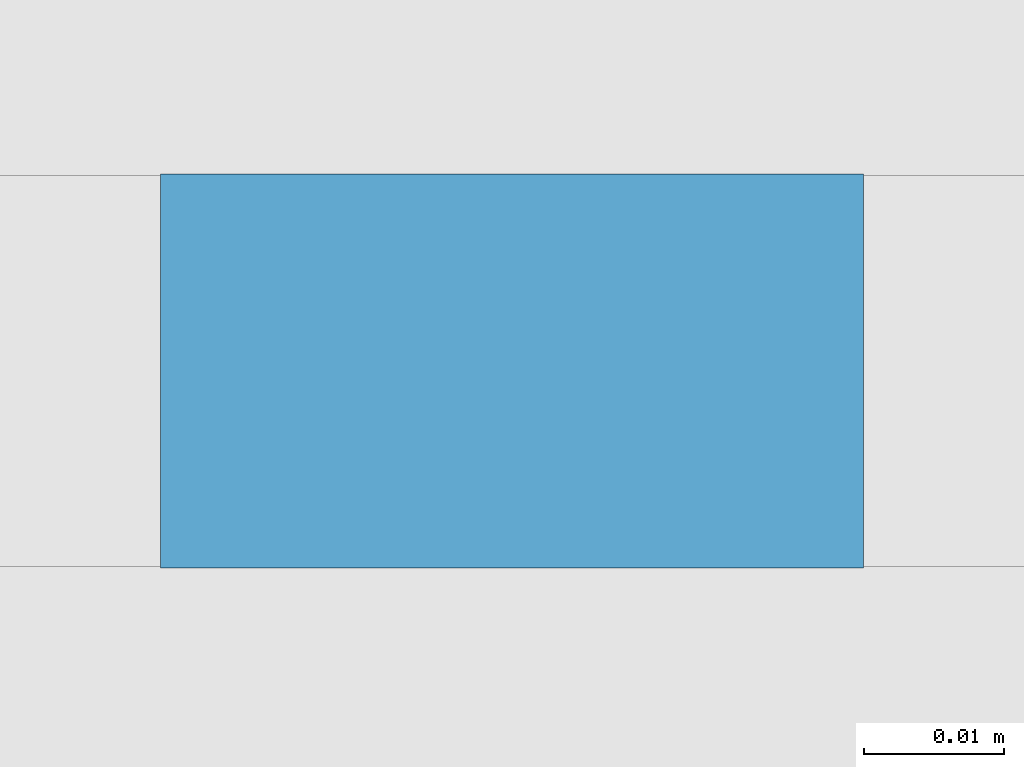
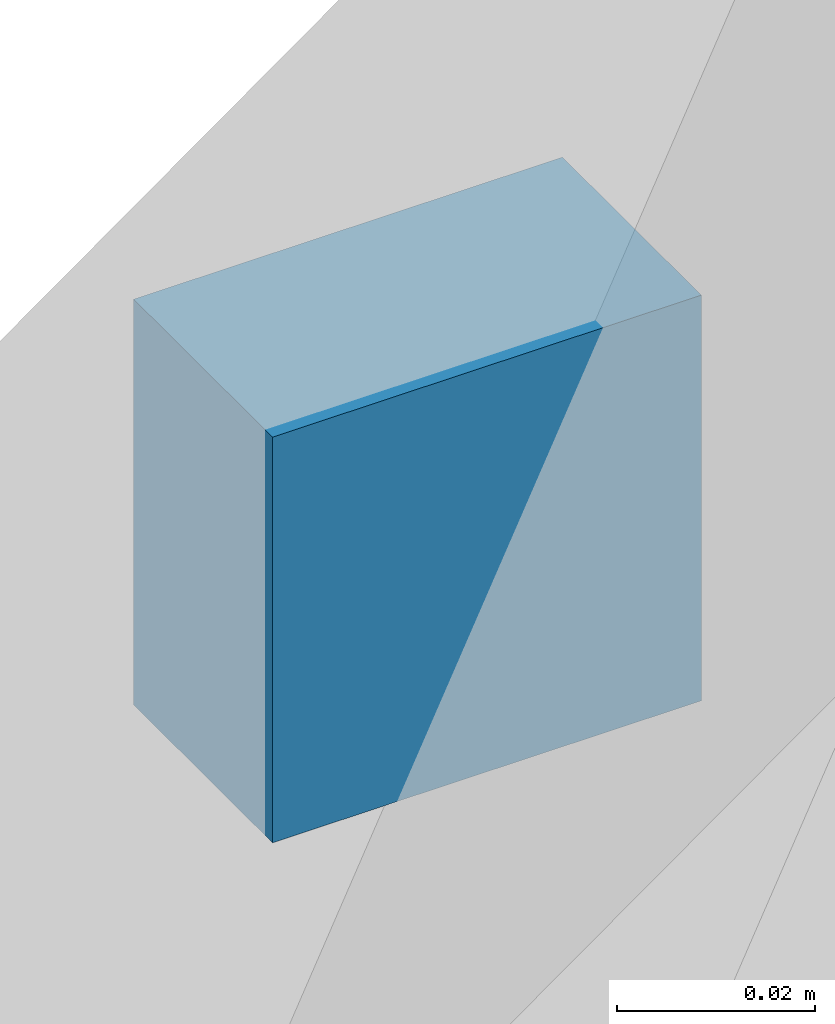
# One storey, part 22 of 24: 1 discrete accessory, 1 element without a shape of its own.
"""IFC4 building model written with IfcOpenShell, lengths in metres."""

from ifc_helpers import new_model, si_unit, direction, frame, origin, origin_2d, place, context, subcontext, project, spatial, rectangle, extrude, material, type_object, element, aggregate, save


model = new_model("IFC4")

# Units and contexts
model_context = context("Model", 3, precision=1e-05, world=origin(), true_north=direction((0.0, 1.0)))
body_context = subcontext(model_context, "Body", "Model", "MODEL_VIEW")
ifc_project = project(units=[si_unit("LENGTHUNIT", "METRE"), si_unit("AREAUNIT", "SQUARE_METRE"), si_unit("VOLUMEUNIT", "CUBIC_METRE"), si_unit("PLANEANGLEUNIT", "RADIAN"), si_unit("MASSUNIT", "GRAM", prefix="KILO")], contexts=[model_context])

# Site, building, storey
site_placement = place(None, origin())
site = spatial("IfcSite", under=ifc_project, at=site_placement, CompositionType="ELEMENT")
building_placement = place(site_placement, origin())
building = spatial("IfcBuilding", under=site, at=building_placement, Name="Tessera Arch", CompositionType="ELEMENT")
storey_placement = place(building_placement, frame((0.0, 0.0, 112.0)))
storey = spatial("IfcBuildingStorey", under=building, at=storey_placement, Name="L26", CompositionType="ELEMENT", Elevation=112.0)

# Curtain wall, discrete accessory
ifc_material = material(Name="CW3 curtain wall")
curtain_wall_type = type_object("IfcCurtainWallType", Name="CW3 curtain wall", PredefinedType="NOTDEFINED", material=ifc_material)
curtain_wall_placement = place(storey_placement, origin())
curtain_wall = element("IfcCurtainWall", 1, at=curtain_wall_placement, inside=storey, type_object=curtain_wall_type, Name="CW3 curtain wall N54.0/0 L26", PredefinedType="NOTDEFINED")
discrete_accessory_placement = place(storey_placement, frame((40.00390625, 54.0439453125, 1.00830078125), z_axis=(0.0, 0.0, 1.0), x_axis=(-1.0, 0.0, 0.0)))
discrete_accessory = element("IfcDiscreteAccessory", 2, at=discrete_accessory_placement, Name="Glazing bracket", PredefinedType="BRACKET", context=body_context, shape_type="SweptSolid", body=[
    extrude(rectangle(XDim=0.050048828125, YDim=0.028076171875, at=origin_2d()), origin(), (0.0, 0.0, 1.0), 0.050048828125),
])
aggregate(curtain_wall, [discrete_accessory])

save(model, "model.ifc")
